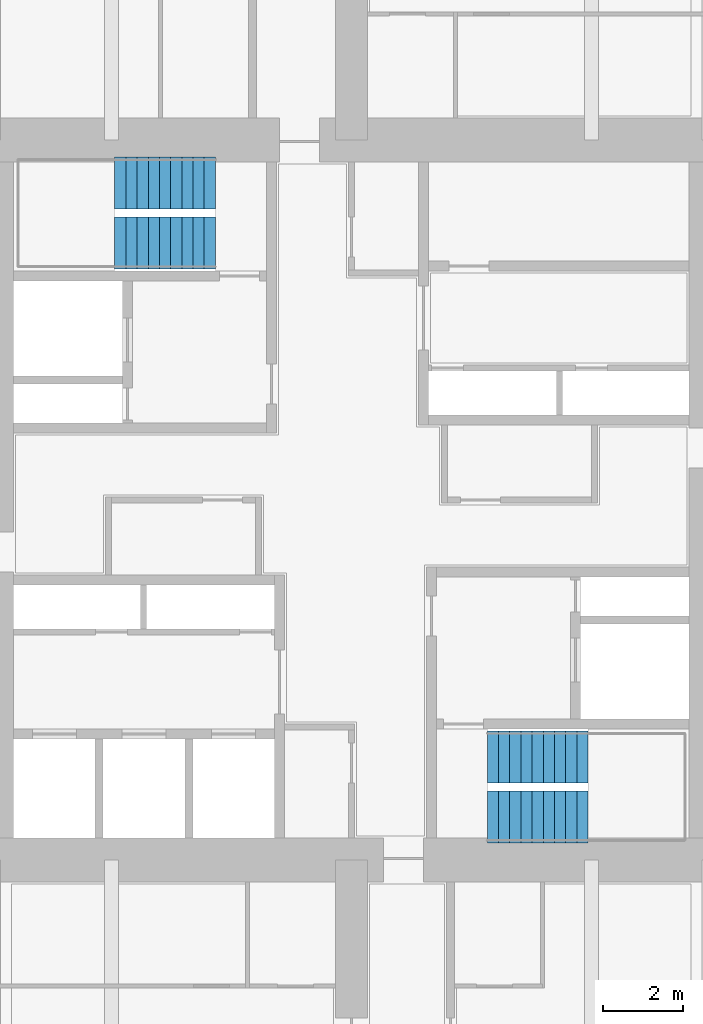
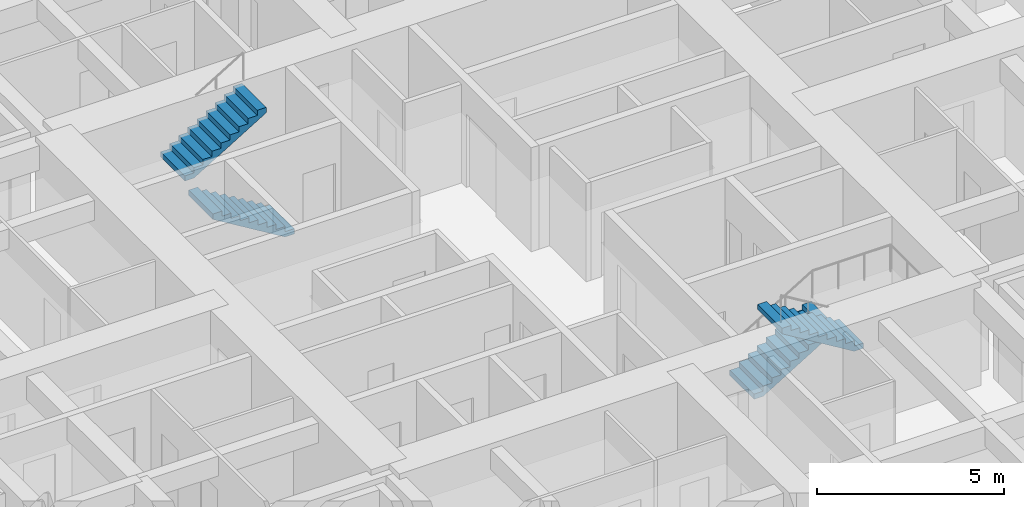
# One storey, part 13 of 14: 4 stair flights, 2 elements without a shape of their own.
"""IFC4 building model written with IfcOpenShell, lengths in metres."""

from ifc_helpers import new_model, si_unit, direction, frame, origin, place, context, subcontext, project, spatial, polyline, outline, extrude, material, type_object, element, aggregate, save


model = new_model("IFC4")

# Units and contexts
model_context = context("Model", 3, precision=1e-05, world=origin(), true_north=direction((0.0, 1.0)))
body_context = subcontext(model_context, "Body", "Model", "MODEL_VIEW")
ifc_project = project(units=[si_unit("LENGTHUNIT", "METRE"), si_unit("AREAUNIT", "SQUARE_METRE"), si_unit("VOLUMEUNIT", "CUBIC_METRE"), si_unit("PLANEANGLEUNIT", "RADIAN"), si_unit("MASSUNIT", "GRAM", prefix="KILO")], contexts=[model_context])

# Site, building, storey
site_placement = place(None, origin())
site = spatial("IfcSite", under=ifc_project, at=site_placement, CompositionType="ELEMENT")
building_placement = place(site_placement, origin())
building = spatial("IfcBuilding", under=site, at=building_placement, Name="Torre Cruceta", CompositionType="ELEMENT")
storey_placement = place(building_placement, frame((0.0, 0.0, 186.5)))
storey = spatial("IfcBuildingStorey", under=building, at=storey_placement, Name="L46", CompositionType="ELEMENT", Elevation=186.5)

# Stair, stair flights
ifc_material_1 = material(Name="Concrete G30 (fck 30 MPa)", Category="concrete")
stair_type = type_object("IfcStairType", Name="STAIR HALF-TURN 1300", PredefinedType="HALF_TURN_STAIR", material=ifc_material_1)
stair_1_placement = place(storey_placement, origin())
stair_1 = element("IfcStair", 1, at=stair_1_placement, inside=storey, type_object=stair_type, Name="Stair ST1 L46", PredefinedType="HALF_TURN_STAIR")
ifc_material_2 = material(Name="Concrete G30 (fck 30 MPa)", Category="concrete")
stair_flight_type = type_object("IfcStairFlightType", Name="STAIR FLIGHT 1300", PredefinedType="STRAIGHT", material=ifc_material_2)
stair_flight_1_placement = place(storey_placement, frame((-3.39990234375, 6.425048828125, 0.0), z_axis=(0.0, 0.0, 1.0), x_axis=(-1.0, 0.0, 0.0)))
stair_flight_1 = element("IfcStairFlight", 2, at=stair_flight_1_placement, type_object=stair_flight_type, Name="ST1 flight 1", NumberOfRisers=10, NumberOfTreads=9, PredefinedType="STRAIGHT", RiserHeight=0.17, TreadLength=0.28, context=body_context, shape_type="SweptSolid", body=[
    extrude(outline(polyline([(0.0, 0.0), (0.0, 0.169921875), (0.280029296875, 0.169921875), (0.280029296875, 0.340087890625), (0.56005859375, 0.340087890625), (0.56005859375, 0.510009765625), (0.840087890625, 0.510009765625), (0.840087890625, 0.679931640625), (1.1201171875, 0.679931640625), (1.1201171875, 0.85009765625), (1.39990234375, 0.85009765625), (1.39990234375, 1.02001953125), (1.679931640625, 1.02001953125), (1.679931640625, 1.18994140625), (1.9599609375, 1.18994140625), (1.9599609375, 1.360107421875), (2.239990234375, 1.360107421875), (2.239990234375, 1.530029296875), (2.52001953125, 1.530029296875), (2.52001953125, 1.699951171875), (2.52001953125, 1.354736328125), (0.288818359375, 0.0), (0.0, 0.0)])), frame((0.0, 0.64990234375, 0.0), z_axis=(0.0, -1.0, 0.0), x_axis=(1.0, 0.0, 0.0)), (0.0, 0.0, 1.0), 1.300048828125),
])
stair_flight_2_placement = place(storey_placement, frame((-5.919921875, 7.925048828125, 1.699951171875), z_axis=(0.0, 0.0, 1.0), x_axis=(1.0, 0.0, 0.0)))
stair_flight_2 = element("IfcStairFlight", 3, at=stair_flight_2_placement, type_object=stair_flight_type, Name="ST1 flight 2", NumberOfRisers=10, NumberOfTreads=9, PredefinedType="STRAIGHT", RiserHeight=0.17, TreadLength=0.28, context=body_context, shape_type="SweptSolid", body=[
    extrude(outline(polyline([(0.0, 0.0), (0.0, 0.169921875), (0.280029296875, 0.169921875), (0.280029296875, 0.340087890625), (0.56005859375, 0.340087890625), (0.56005859375, 0.510009765625), (0.840087890625, 0.510009765625), (0.840087890625, 0.679931640625), (1.1201171875, 0.679931640625), (1.1201171875, 0.85009765625), (1.39990234375, 0.85009765625), (1.39990234375, 1.02001953125), (1.679931640625, 1.02001953125), (1.679931640625, 1.18994140625), (1.9599609375, 1.18994140625), (1.9599609375, 1.360107421875), (2.239990234375, 1.360107421875), (2.239990234375, 1.530029296875), (2.52001953125, 1.530029296875), (2.52001953125, 1.699951171875), (2.52001953125, 1.354736328125), (0.288818359375, 0.0), (0.0, 0.0)])), frame((0.0, 0.64990234375, 0.0), z_axis=(0.0, -1.0, 0.0), x_axis=(1.0, 0.0, 0.0)), (0.0, 0.0, 1.0), 1.300048828125),
])
aggregate(stair_1, [stair_flight_1, stair_flight_2])

stair_2_placement = place(storey_placement, origin())
stair_2 = element("IfcStair", 4, at=stair_2_placement, inside=storey, type_object=stair_type, Name="Stair ST2 L46", PredefinedType="HALF_TURN_STAIR")
stair_flight_3_placement = place(storey_placement, frame((3.39990234375, -6.425048828125, 0.0), z_axis=(0.0, 0.0, 1.0), x_axis=(1.0, 0.0, 0.0)))
stair_flight_3 = element("IfcStairFlight", 5, at=stair_flight_3_placement, type_object=stair_flight_type, Name="ST2 flight 1", NumberOfRisers=10, NumberOfTreads=9, PredefinedType="STRAIGHT", RiserHeight=0.17, TreadLength=0.28, context=body_context, shape_type="SweptSolid", body=[
    extrude(outline(polyline([(0.0, 0.0), (0.0, 0.169921875), (0.280029296875, 0.169921875), (0.280029296875, 0.340087890625), (0.56005859375, 0.340087890625), (0.56005859375, 0.510009765625), (0.840087890625, 0.510009765625), (0.840087890625, 0.679931640625), (1.1201171875, 0.679931640625), (1.1201171875, 0.85009765625), (1.39990234375, 0.85009765625), (1.39990234375, 1.02001953125), (1.679931640625, 1.02001953125), (1.679931640625, 1.18994140625), (1.9599609375, 1.18994140625), (1.9599609375, 1.360107421875), (2.239990234375, 1.360107421875), (2.239990234375, 1.530029296875), (2.52001953125, 1.530029296875), (2.52001953125, 1.699951171875), (2.52001953125, 1.354736328125), (0.288818359375, 0.0), (0.0, 0.0)])), frame((0.0, 0.64990234375, 0.0), z_axis=(0.0, -1.0, 0.0), x_axis=(1.0, 0.0, 0.0)), (0.0, 0.0, 1.0), 1.300048828125),
])
stair_flight_4_placement = place(storey_placement, frame((5.919921875, -7.925048828125, 1.699951171875), z_axis=(0.0, 0.0, 1.0), x_axis=(-1.0, 0.0, 0.0)))
stair_flight_4 = element("IfcStairFlight", 6, at=stair_flight_4_placement, type_object=stair_flight_type, Name="ST2 flight 2", NumberOfRisers=10, NumberOfTreads=9, PredefinedType="STRAIGHT", RiserHeight=0.17, TreadLength=0.28, context=body_context, shape_type="SweptSolid", body=[
    extrude(outline(polyline([(0.0, 0.0), (0.0, 0.169921875), (0.280029296875, 0.169921875), (0.280029296875, 0.340087890625), (0.56005859375, 0.340087890625), (0.56005859375, 0.510009765625), (0.840087890625, 0.510009765625), (0.840087890625, 0.679931640625), (1.1201171875, 0.679931640625), (1.1201171875, 0.85009765625), (1.39990234375, 0.85009765625), (1.39990234375, 1.02001953125), (1.679931640625, 1.02001953125), (1.679931640625, 1.18994140625), (1.9599609375, 1.18994140625), (1.9599609375, 1.360107421875), (2.239990234375, 1.360107421875), (2.239990234375, 1.530029296875), (2.52001953125, 1.530029296875), (2.52001953125, 1.699951171875), (2.52001953125, 1.354736328125), (0.288818359375, 0.0), (0.0, 0.0)])), frame((0.0, 0.64990234375, 0.0), z_axis=(0.0, -1.0, 0.0), x_axis=(1.0, 0.0, 0.0)), (0.0, 0.0, 1.0), 1.300048828125),
])
aggregate(stair_2, [stair_flight_3, stair_flight_4])

save(model, "model.ifc")
